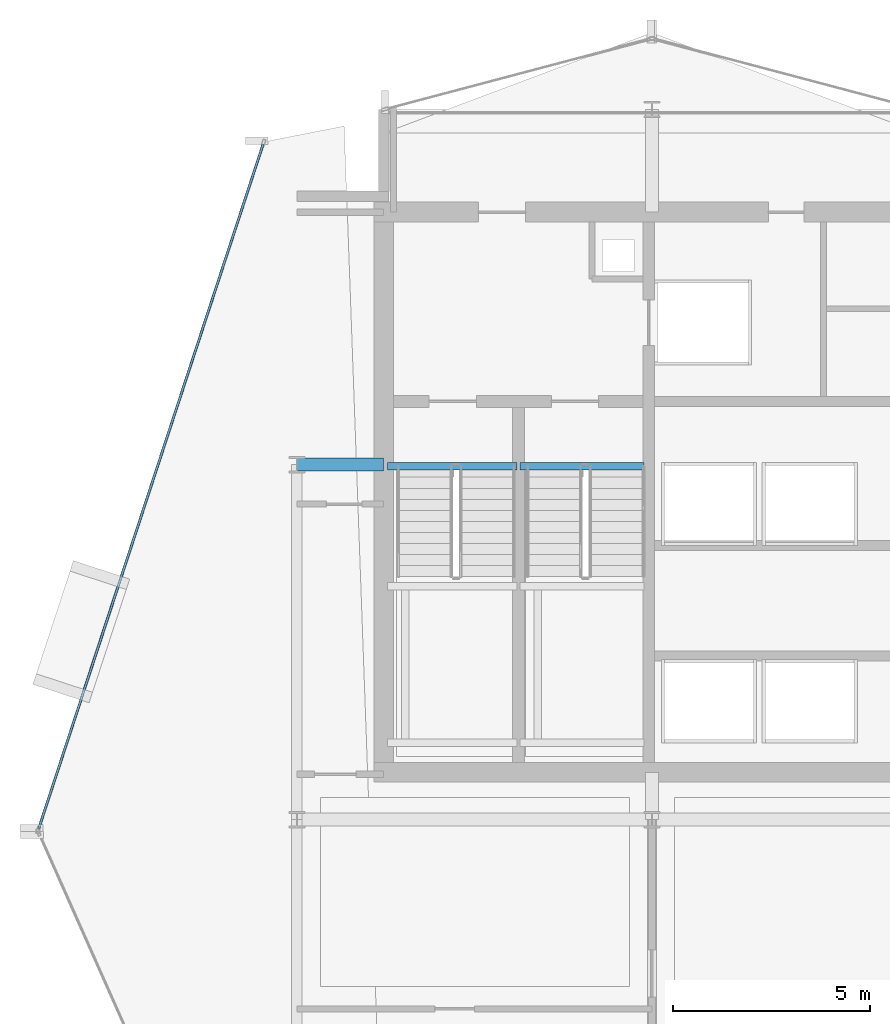
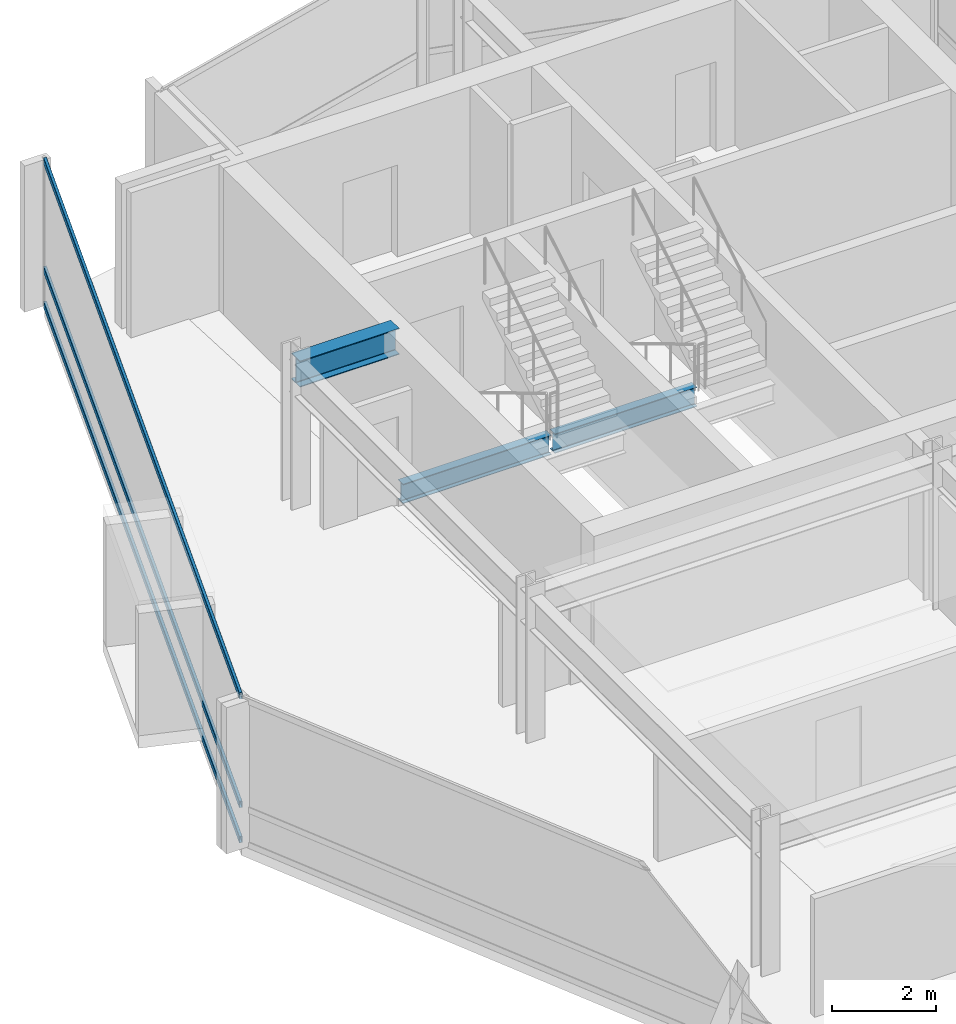
# One storey, part 15 of 27: 3 beams, 3 members, 1 element without a shape of its own.
"""IFC4 building model written with IfcOpenShell, lengths in metres."""

from ifc_helpers import new_model, si_unit, direction, frame, origin, origin_2d, place, context, subcontext, project, spatial, hollow_rectangle, i_section, extrude, material, layer, layer_set, material_profile, profile_set, type_object, element, aggregate, save


model = new_model("IFC4")

# Units and contexts
model_context = context("Model", 3, precision=1e-05, world=origin(), true_north=direction((0.0, 1.0)))
body_context = subcontext(model_context, "Body", "Model", "MODEL_VIEW")
ifc_project = project(units=[si_unit("LENGTHUNIT", "METRE"), si_unit("AREAUNIT", "SQUARE_METRE"), si_unit("VOLUMEUNIT", "CUBIC_METRE"), si_unit("PLANEANGLEUNIT", "RADIAN"), si_unit("MASSUNIT", "GRAM", prefix="KILO")], contexts=[model_context])

# Site, building, storey
site_placement = place(None, origin())
site = spatial("IfcSite", under=ifc_project, at=site_placement, CompositionType="ELEMENT")
building_placement = place(site_placement, origin())
building = spatial("IfcBuilding", under=site, at=building_placement, Name="Solvaryn Broadcast Tower", CompositionType="ELEMENT")
storey_placement = place(building_placement, frame((0.0, 0.0, 174.199951171875)))
storey = spatial("IfcBuildingStorey", under=building, at=storey_placement, Name="L43", CompositionType="ELEMENT", Elevation=174.199951171875)

# Beams
ifc_material_1 = material(Name="Steel ASTM A992 Grade 50", Category="steel")
ifc_material_profile_1 = material_profile(ifc_material_1, i_section(OverallWidth=0.323974609375, OverallDepth=0.611083984375, WebThickness=0.0126953125, FlangeThickness=0.01904296875, FilletRadius=0.014892578125, at=origin_2d()))
ifc_profile_set_1 = profile_set([ifc_material_profile_1], Name="Steel ASTM A992 Grade 50")
beam_type_1 = type_object("IfcBeamType", Name="BM-B1-W24X104", PredefinedType="BEAM", material=ifc_profile_set_1)
beam_1_placement = place(storey_placement, frame((9.0, 36.0, 3.114501953125), z_axis=(1.0, 0.0, 0.0), x_axis=(0.0, 1.0, 0.0)))
element("IfcBeam", 1, at=beam_1_placement, inside=storey, type_object=beam_type_1, Name="L43 Core Tie Beam CTW1", PredefinedType="BEAM", context=body_context, shape_type="SweptSolid", body=[
    extrude(i_section(OverallWidth=0.323974609375, OverallDepth=0.611083984375, WebThickness=0.0126953125, FlangeThickness=0.01904296875, FilletRadius=0.014892578125, at=origin_2d()), origin(), (0.0, 0.0, 1.0), 2.199951171875),
])
ifc_material_2 = material(Name="Steel ASTM A992 Grade 50", Category="steel")
ifc_material_profile_2 = material_profile(ifc_material_2, i_section(OverallWidth=0.18994140625, OverallDepth=0.45703125, WebThickness=0.009033203125, FlangeThickness=0.014404296875, FilletRadius=0.011962890625, at=origin_2d()))
ifc_profile_set_2 = profile_set([ifc_material_profile_2], Name="Steel ASTM A992 Grade 50")
beam_type_2 = type_object("IfcBeamType", Name="BM-B4-W18X50", PredefinedType="BEAM", material=ifc_profile_set_2)
beam_2_placement = place(storey_placement, frame((11.300048828125, 35.9599609375, -0.508544921875), z_axis=(1.0, 0.0, 0.0), x_axis=(0.0, 1.0, 0.0)))
element("IfcBeam", 2, at=beam_2_placement, inside=storey, type_object=beam_type_2, Name="L43 ST1 Stair Well Trimmer Beam", PredefinedType="BEAM", context=body_context, shape_type="SweptSolid", body=[
    extrude(i_section(OverallWidth=0.18994140625, OverallDepth=0.45703125, WebThickness=0.009033203125, FlangeThickness=0.014404296875, FilletRadius=0.011962890625, at=origin_2d()), origin(), (0.0, 0.0, 1.0), 3.280029296875),
])
beam_3_placement = place(storey_placement, frame((14.659912109375, 35.9599609375, -0.508544921875), z_axis=(1.0, 0.0, 0.0), x_axis=(0.0, 1.0, 0.0)))
element("IfcBeam", 3, at=beam_3_placement, inside=storey, type_object=beam_type_2, Name="L43 ST2 Stair Well Trimmer Beam", PredefinedType="BEAM", context=body_context, shape_type="SweptSolid", body=[
    extrude(i_section(OverallWidth=0.18994140625, OverallDepth=0.45703125, WebThickness=0.009033203125, FlangeThickness=0.014404296875, FilletRadius=0.011962890625, at=origin_2d()), origin(), (0.0, 0.0, 1.0), 3.14013671875),
])

# Curtain wall, members
ifc_material_3 = material(Name="Aluminium and Terracotta Unitised Curtain Wall", Category="masonry")
ifc_layer = layer(ifc_material_3, 0.199951171875)
ifc_layer_set = layer_set([ifc_layer], Name="CW-SYS2-LOWMID")
curtain_wall_type = type_object("IfcCurtainWallType", Name="CW-SYS2-LOWMID", PredefinedType="NOTDEFINED", material=ifc_layer_set)
curtain_wall_placement = place(storey_placement, origin())
curtain_wall = element("IfcCurtainWall", 4, at=curtain_wall_placement, inside=storey, type_object=curtain_wall_type, Name="L43 Curtain Wall DR1", PredefinedType="NOTDEFINED")
ifc_material_4 = material(Name="Anodised Aluminium 6063-T6", Category="aluminium")
ifc_material_profile_3 = material_profile(ifc_material_4, hollow_rectangle(XDim=0.06494140625, YDim=0.14990234375, WallThickness=0.00390625, InnerFilletRadius=0.00390625, OuterFilletRadius=0.008056640625, at=origin_2d()))
ifc_profile_set_3 = profile_set([ifc_material_profile_3], Name="Anodised Aluminium 6063-T6")
member_type = type_object("IfcMemberType", Name="CW-TRN-150", PredefinedType="USERDEFINED", material=ifc_profile_set_3)
member_1_placement = place(storey_placement, frame((8.144287109375, 44.125, 0.030029296875), z_axis=(-0.311557987209, -0.950227141586, 0.0), x_axis=(0.950227141586, -0.311557987209, 0.0)))
member_1 = element("IfcMember", 5, at=member_1_placement, type_object=member_type, Name="CWS2 transom 1.1", ObjectType="TRANSOM", PredefinedType="USERDEFINED", context=body_context, shape_type="SweptSolid", body=[
    extrude(hollow_rectangle(XDim=0.06494140625, YDim=0.14990234375, WallThickness=0.00390625, InnerFilletRadius=0.00390625, OuterFilletRadius=0.008056640625, at=origin_2d()), origin(), (0.0, 0.0, 1.0), 18.271484375),
])
member_2_placement = place(storey_placement, frame((8.144287109375, 44.125, 0.85009765625), z_axis=(-0.311557987209, -0.950227141586, 0.0), x_axis=(0.950227141586, -0.311557987209, 0.0)))
member_2 = element("IfcMember", 6, at=member_2_placement, type_object=member_type, Name="CWS2 transom 1.2", ObjectType="TRANSOM", PredefinedType="USERDEFINED", context=body_context, shape_type="SweptSolid", body=[
    extrude(hollow_rectangle(XDim=0.06494140625, YDim=0.14990234375, WallThickness=0.00390625, InnerFilletRadius=0.00390625, OuterFilletRadius=0.008056640625, at=origin_2d()), origin(), (0.0, 0.0, 1.0), 18.271484375),
])
member_3_placement = place(storey_placement, frame((8.144287109375, 44.125, 3.39013671875), z_axis=(-0.311557987209, -0.950227141586, 0.0), x_axis=(0.950227141586, -0.311557987209, 0.0)))
member_3 = element("IfcMember", 7, at=member_3_placement, type_object=member_type, Name="CWS2 transom 1.3", ObjectType="TRANSOM", PredefinedType="USERDEFINED", context=body_context, shape_type="SweptSolid", body=[
    extrude(hollow_rectangle(XDim=0.06494140625, YDim=0.14990234375, WallThickness=0.00390625, InnerFilletRadius=0.00390625, OuterFilletRadius=0.008056640625, at=origin_2d()), origin(), (0.0, 0.0, 1.0), 18.271484375),
])
aggregate(curtain_wall, [member_1, member_2, member_3])

save(model, "model.ifc")
